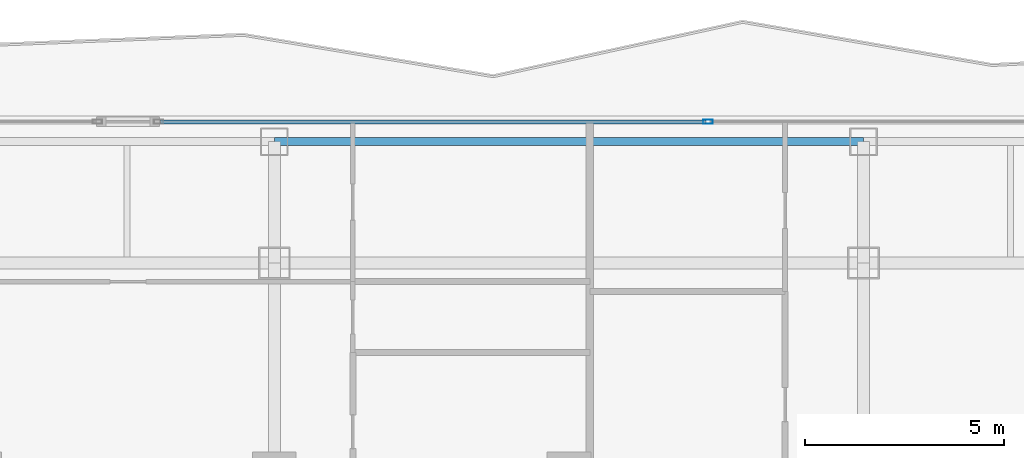
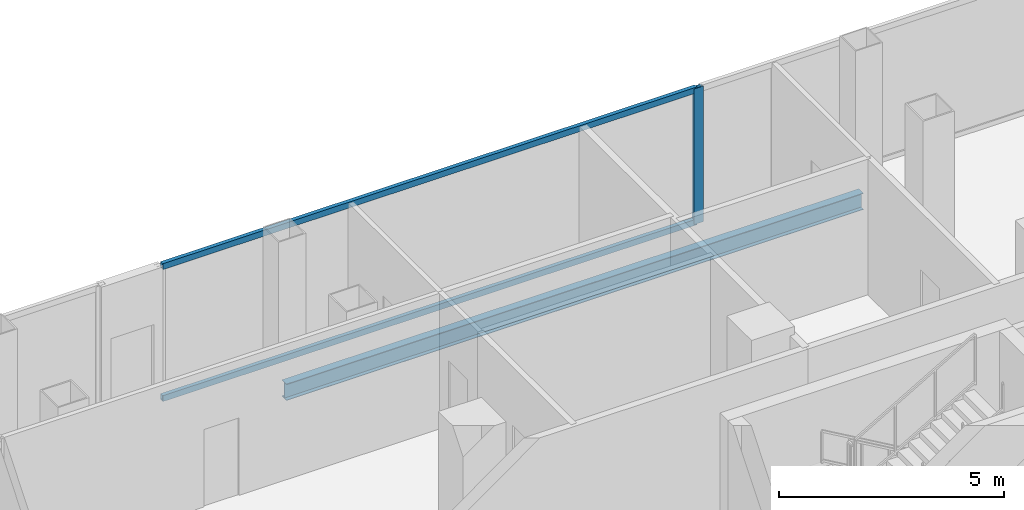
# One storey, part 14 of 25: 3 members, 1 beam, 1 element without a shape of its own.
"""IFC4 building model written with IfcOpenShell, lengths in metres."""

from ifc_helpers import new_model, si_unit, direction, frame, origin, origin_2d, place, context, subcontext, project, spatial, hollow_rectangle, i_section, extrude, material, layer, layer_set, material_profile, profile_set, type_object, element, aggregate, save


model = new_model("IFC4")

# Units and contexts
model_context = context("Model", 3, precision=1e-05, world=origin(), true_north=direction((0.0, 1.0)))
body_context = subcontext(model_context, "Body", "Model", "MODEL_VIEW")
ifc_project = project(units=[si_unit("LENGTHUNIT", "METRE"), si_unit("AREAUNIT", "SQUARE_METRE"), si_unit("VOLUMEUNIT", "CUBIC_METRE"), si_unit("PLANEANGLEUNIT", "RADIAN"), si_unit("MASSUNIT", "GRAM", prefix="KILO")], contexts=[model_context])

# Site, building, storey
site_placement = place(None, origin())
site = spatial("IfcSite", under=ifc_project, at=site_placement, CompositionType="ELEMENT")
building_placement = place(site_placement, origin())
building = spatial("IfcBuilding", under=site, at=building_placement, Name="Khorvyn Point Tower", CompositionType="ELEMENT")
storey_placement = place(building_placement, frame((0.0, 0.0, 171.89990234375)))
storey = spatial("IfcBuildingStorey", under=building, at=storey_placement, Name="L42", CompositionType="ELEMENT", Elevation=171.89990234375)

# Curtain wall, members
ifc_material_1 = material(Name="Anodised aluminium 6063-T6 and laminated Low-E glass", Category="aluminium")
ifc_layer = layer(ifc_material_1, 0.18994140625)
ifc_layer_set = layer_set([ifc_layer], Name="Stick-Built Acoustic Curtain Wall CW-SYS-03")
curtain_wall_type = type_object("IfcCurtainWallType", Name="Stick-Built Acoustic Curtain Wall CW-SYS-03", PredefinedType="NOTDEFINED", material=ifc_layer_set)
curtain_wall_placement = place(storey_placement, origin())
curtain_wall = element("IfcCurtainWall", 1, at=curtain_wall_placement, inside=storey, type_object=curtain_wall_type, Name="Curtain Wall", PredefinedType="NOTDEFINED")
ifc_material_2 = material(Name="Anodised aluminium 6063-T6", Category="aluminium")
ifc_material_profile_1 = material_profile(ifc_material_2, hollow_rectangle(XDim=0.10009765625, YDim=0.239990234375, WallThickness=0.0048828125, at=origin_2d()))
ifc_profile_set_1 = profile_set([ifc_material_profile_1], Name="Anodised aluminium 6063-T6 ALU-MUL-100x240")
member_type_1 = type_object("IfcMemberType", Name="Anodised Aluminium 6063-T6 Mullion ALU-MUL-100x240", PredefinedType="MULLION", material=ifc_profile_set_1)
member_1_placement = place(storey_placement, frame((3.49658203125, 23.64990234375, 0.0), z_axis=(0.0, 0.0, 1.0), x_axis=(0.0, 1.0, 0.0)))
member_1 = element("IfcMember", 2, at=member_1_placement, type_object=member_type_1, Name="Transom", PredefinedType="MULLION", context=body_context, shape_type="SweptSolid", body=[
    extrude(hollow_rectangle(XDim=0.10009765625, YDim=0.239990234375, WallThickness=0.0048828125, at=origin_2d()), origin(), (0.0, 0.0, 1.0), 3.68017578125),
])
ifc_material_profile_2 = material_profile(ifc_material_2, hollow_rectangle(XDim=0.10009765625, YDim=0.159912109375, WallThickness=0.00439453125, at=origin_2d()))
ifc_profile_set_2 = profile_set([ifc_material_profile_2], Name="Anodised aluminium 6063-T6 ALU-TRN-100x160")
member_type_2 = type_object("IfcMemberType", Name="Anodised Aluminium 6063-T6 Transom ALU-TRN-100x160", PredefinedType="USERDEFINED", material=ifc_profile_set_2)
member_2_placement = place(storey_placement, frame((-10.257080078125, 23.64990234375, 0.050048828125), z_axis=(1.0, 0.0, 0.0), x_axis=(0.0, 1.0, 0.0)))
member_2 = element("IfcMember", 3, at=member_2_placement, type_object=member_type_2, Name="Transom", ObjectType="TRANSOM", PredefinedType="USERDEFINED", context=body_context, shape_type="SweptSolid", body=[
    extrude(hollow_rectangle(XDim=0.10009765625, YDim=0.159912109375, WallThickness=0.00439453125, at=origin_2d()), origin(), (0.0, 0.0, 1.0), 13.70361328125),
])
member_3_placement = place(storey_placement, frame((-10.257080078125, 23.64990234375, 3.630126953125), z_axis=(1.0, 0.0, 0.0), x_axis=(0.0, 1.0, 0.0)))
member_3 = element("IfcMember", 4, at=member_3_placement, type_object=member_type_2, Name="Transom", ObjectType="TRANSOM", PredefinedType="USERDEFINED", context=body_context, shape_type="SweptSolid", body=[
    extrude(hollow_rectangle(XDim=0.10009765625, YDim=0.159912109375, WallThickness=0.00439453125, at=origin_2d()), origin(), (0.0, 0.0, 1.0), 13.70361328125),
])
aggregate(curtain_wall, [member_1, member_2, member_3])

# Beam
ifc_material_3 = material(Name="Steel S355", Category="steel")
ifc_material_profile_3 = material_profile(ifc_material_3, i_section(OverallWidth=0.199951171875, OverallDepth=0.449951171875, WebThickness=0.009033203125, FlangeThickness=0.013916015625, at=origin_2d()))
ifc_profile_set_3 = profile_set([ifc_material_profile_3], Name="Steel S355 H450x200x9x14")
beam_type = type_object("IfcBeamType", Name="Steel S355 Spandrel H450x200x9x14", PredefinedType="SPANDREL", material=ifc_profile_set_3)
beam_placement = place(storey_placement, frame((-7.39990234375, 23.14990234375, -0.44482421875), z_axis=(1.0, 0.0, 0.0), x_axis=(0.0, 1.0, 0.0)))
element("IfcBeam", 5, at=beam_placement, inside=storey, type_object=beam_type, Name="Beam", PredefinedType="SPANDREL", context=body_context, shape_type="SweptSolid", body=[
    extrude(i_section(OverallWidth=0.199951171875, OverallDepth=0.449951171875, WebThickness=0.009033203125, FlangeThickness=0.013916015625, at=origin_2d()), origin(), (0.0, 0.0, 1.0), 14.7998046875),
])

save(model, "model.ifc")
